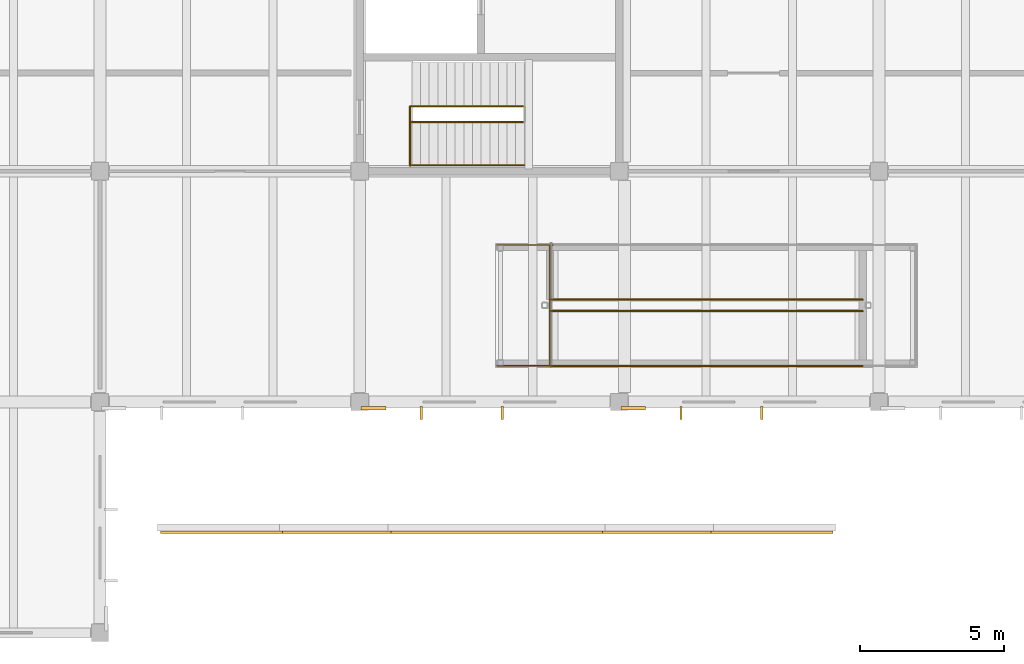
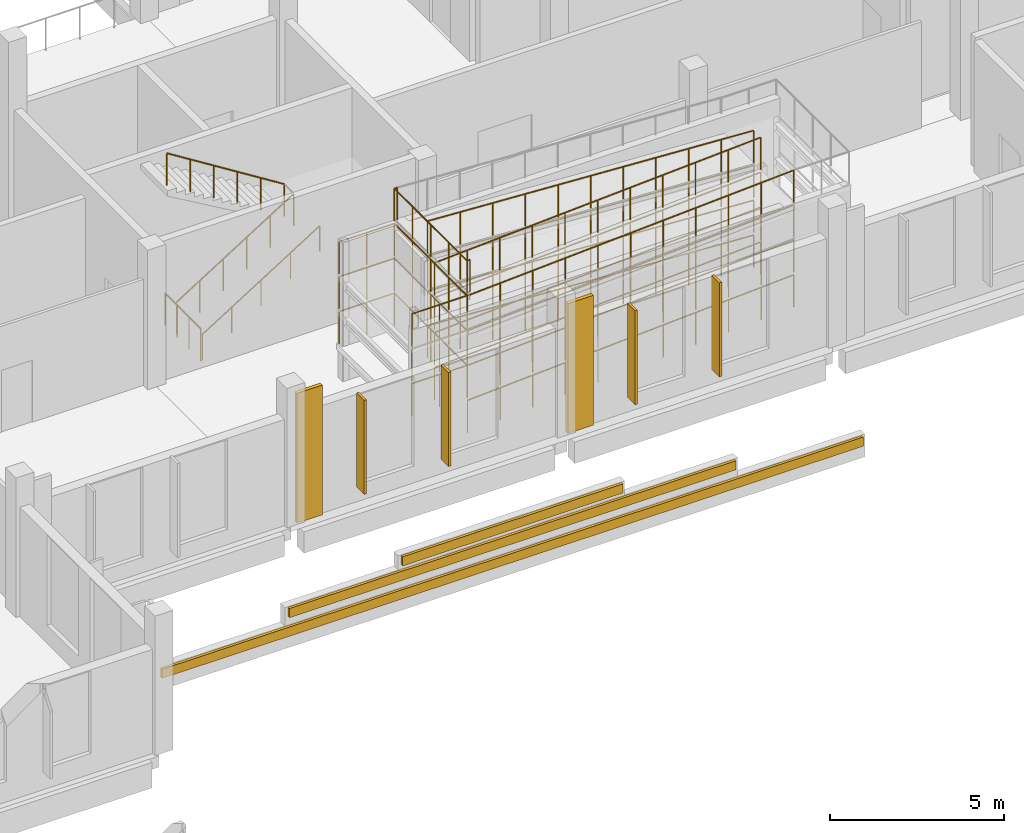
# One storey, part 98 of 110: 20 railings, 5 coverings, 4 shading devices.
"""IFC4 building model written with IfcOpenShell, lengths in metres."""

from ifc_helpers import new_model, si_unit, direction, frame, origin, origin_2d, place, context, subcontext, project, spatial, rectangle, circle, extrude, material, layer, layer_set, type_object, element, save


model = new_model("IFC4")

# Units and contexts
model_context = context("Model", 3, precision=1e-05, world=origin(), true_north=direction((0.0, 1.0)))
body_context = subcontext(model_context, "Body", "Model", "MODEL_VIEW")
ifc_project = project(units=[si_unit("LENGTHUNIT", "METRE"), si_unit("AREAUNIT", "SQUARE_METRE"), si_unit("VOLUMEUNIT", "CUBIC_METRE"), si_unit("PLANEANGLEUNIT", "RADIAN"), si_unit("MASSUNIT", "GRAM", prefix="KILO")], contexts=[model_context])

# Site, building, storey
site_placement = place(None, origin())
site = spatial("IfcSite", under=ifc_project, at=site_placement, CompositionType="ELEMENT")
building_placement = place(site_placement, origin())
building = spatial("IfcBuilding", under=site, at=building_placement, Name="Zacnel Wholesale Market", CompositionType="ELEMENT")
storey_placement = place(building_placement, frame((0.0, 0.0, 6.300048828125)))
storey = spatial("IfcBuildingStorey", under=building, at=storey_placement, Name="L02", CompositionType="ELEMENT", Elevation=6.300048828125)

# Coverings
ifc_material_1 = material(Name="Honed Yucatan Maya cream limestone", Category="masonry")
ifc_layer = layer(ifc_material_1, 0.090087890625)
ifc_layer_set = layer_set([ifc_layer], Name="Honed Yucatan Maya cream limestone")
covering_type = type_object("IfcCoveringType", Name="COV-CLAD-FRET", PredefinedType="CLADDING", material=ifc_layer_set)
for number, where, z_axis, x_axis, name in (
    (1, (108.47998046875, 7.7900390625, 0.02001953125), (0.0, 0.0, 1.0), (1.0, 0.0, 0.0), "Fluted Mayan-Deco limestone pilaster L02-0115"),
    (2, (117.47998046875, 7.7900390625, 0.02001953125), (0.0, 0.0, 1.0), (1.0, 0.0, 0.0), "Fluted Mayan-Deco limestone pilaster L02-0116"),
):
    element("IfcCovering", number, at=place(storey_placement, frame(where, z_axis=z_axis, x_axis=x_axis)), inside=storey, type_object=covering_type, Name=name, PredefinedType="CLADDING", context=body_context, shape_type="SweptSolid", body=[
        extrude(rectangle(XDim=0.85009765625, YDim=0.1201171875, at=origin_2d()), origin(), (0.0, 0.0, 1.0), 4.56005859375),
    ])
covering_1_placement = place(storey_placement, frame((112.75, 3.485107421875, -0.39013671875), z_axis=(0.0, 0.0, 1.0), x_axis=(1.0, 0.0, 0.0)))
element("IfcCovering", 3, at=covering_1_placement, inside=storey, type_object=covering_type, Name="Mayan greca stone relief ENV-CRN-V4FLW-1", PredefinedType="CLADDING", context=body_context, shape_type="SweptSolid", body=[
    extrude(rectangle(XDim=23.300048828125, YDim=0.090087890625, at=origin_2d()), origin(), (0.0, 0.0, 1.0), 0.320068359375),
])
covering_2_placement = place(storey_placement, frame((112.75, 3.485107421875, 0.259765625), z_axis=(0.0, 0.0, 1.0), x_axis=(1.0, 0.0, 0.0)))
element("IfcCovering", 4, at=covering_2_placement, inside=storey, type_object=covering_type, Name="Mayan greca stone relief ENV-CRN-V4FLW-2", PredefinedType="CLADDING", context=body_context, shape_type="SweptSolid", body=[
    extrude(rectangle(XDim=14.840087890625, YDim=0.090087890625, at=origin_2d()), origin(), (0.0, 0.0, 1.0), 0.320068359375),
])
covering_3_placement = place(storey_placement, frame((112.75, 3.485107421875, 0.759765625), z_axis=(0.0, 0.0, 1.0), x_axis=(1.0, 0.0, 0.0)))
element("IfcCovering", 5, at=covering_3_placement, inside=storey, type_object=covering_type, Name="Mayan greca stone relief ENV-CRN-V4FLW-3", PredefinedType="CLADDING", context=body_context, shape_type="SweptSolid", body=[
    extrude(rectangle(XDim=7.320068359375, YDim=0.090087890625, at=origin_2d()), origin(), (0.0, 0.0, 1.0), 0.320068359375),
])

# Railings
ifc_material_2 = material(Name="Galvanized steel", Category="steel")
railing_type_1 = type_object("IfcRailingType", Name="RAL-HANDRAIL-920", PredefinedType="HANDRAIL", material=ifc_material_2)
railing_1_placement = place(storey_placement, frame((109.81005859375, 16.2099609375, 0.0)))
element("IfcRailing", 6, at=railing_1_placement, inside=storey, type_object=railing_type_1, Name="Stair ST-17 wall handrail", PredefinedType="HANDRAIL", context=body_context, shape_type="SweptSolid", body=[
    extrude(circle(Radius=0.02099609375, at=origin_2d()), frame((0.0, 0.0, 0.89892578125), z_axis=(0.846775046443, 0.0, 0.531951145052), x_axis=(0.0, 1.0, 0.0)), (0.0, 0.0, 1.0), 4.605712890625),
    extrude(circle(Radius=0.01806640625, at=origin_2d()), origin(), (0.0, 0.0, 1.0), 0.8779296875),
    extrude(circle(Radius=0.01806640625, at=origin_2d()), frame((0.97509765625, 0.0, 0.612548828125)), (0.0, 0.0, 1.0), 0.8779296875),
    extrude(circle(Radius=0.01806640625, at=origin_2d()), frame((1.949951171875, 0.0, 1.22509765625)), (0.0, 0.0, 1.0), 0.8779296875),
    extrude(circle(Radius=0.01806640625, at=origin_2d()), frame((2.9248046875, 0.0, 1.83740234375)), (0.0, 0.0, 1.0), 0.8779296875),
    extrude(circle(Radius=0.01806640625, at=origin_2d()), frame((3.89990234375, 0.0, 2.449951171875)), (0.0, 0.0, 1.0), 0.8779296875),
])
ifc_material_3 = material(Name="Galvanized steel", Category="steel")
railing_type_2 = type_object("IfcRailingType", Name="RAL-STAIR-GD1150", PredefinedType="BALUSTRADE", material=ifc_material_3)
railing_2_placement = place(storey_placement, frame((109.75, 16.18994140625, 0.0)))
element("IfcRailing", 7, at=railing_2_placement, inside=storey, type_object=railing_type_2, Name="Stair balustrade INT-STAIR-ST-16-GDWELL-1", PredefinedType="BALUSTRADE", context=body_context, shape_type="SweptSolid", body=[
    extrude(circle(Radius=0.02392578125, at=origin_2d()), frame((0.0, 0.0, 1.1259765625), z_axis=(0.0, 1.0, 0.0), x_axis=(-1.0, 0.0, 0.0)), (0.0, 0.0, 1.0), 2.06005859375),
    extrude(circle(Radius=0.02099609375, at=origin_2d()), origin(), (0.0, 0.0, 1.0), 1.101806640625),
    extrude(circle(Radius=0.02099609375, at=origin_2d()), frame((0.0, 0.686767578125, 0.0)), (0.0, 0.0, 1.0), 1.101806640625),
    extrude(circle(Radius=0.02099609375, at=origin_2d()), frame((0.0, 1.373291015625, 0.0)), (0.0, 0.0, 1.0), 1.101806640625),
    extrude(circle(Radius=0.02099609375, at=origin_2d()), frame((0.0, 2.06005859375, 0.0)), (0.0, 0.0, 1.0), 1.101806640625),
])
railing_3_placement = place(storey_placement, frame((109.81005859375, 17.699951171875, 0.0)))
element("IfcRailing", 8, at=railing_3_placement, inside=storey, type_object=railing_type_2, Name="Stair balustrade INT-STAIR-ST-17-GDIN-1", PredefinedType="BALUSTRADE", context=body_context, shape_type="SweptSolid", body=[
    extrude(circle(Radius=0.02392578125, at=origin_2d()), frame((0.0, 0.0, 1.1259765625), z_axis=(0.846775046443, 0.0, 0.531951145052), x_axis=(0.0, 1.0, 0.0)), (0.0, 0.0, 1.0), 4.605712890625),
    extrude(circle(Radius=0.02099609375, at=origin_2d()), origin(), (0.0, 0.0, 1.0), 1.101806640625),
    extrude(circle(Radius=0.02099609375, at=origin_2d()), frame((0.780029296875, 0.0, 0.489990234375)), (0.0, 0.0, 1.0), 1.101806640625),
    extrude(circle(Radius=0.02099609375, at=origin_2d()), frame((1.56005859375, 0.0, 0.97998046875)), (0.0, 0.0, 1.0), 1.101806640625),
    extrude(circle(Radius=0.02099609375, at=origin_2d()), frame((2.33984375, 0.0, 1.469970703125)), (0.0, 0.0, 1.0), 1.101806640625),
    extrude(circle(Radius=0.02099609375, at=origin_2d()), frame((3.119873046875, 0.0, 1.9599609375)), (0.0, 0.0, 1.0), 1.101806640625),
    extrude(circle(Radius=0.02099609375, at=origin_2d()), frame((3.89990234375, 0.0, 2.449951171875)), (0.0, 0.0, 1.0), 1.101806640625),
])
railing_4_placement = place(storey_placement, frame((113.7099609375, 18.25, 2.449951171875)))
element("IfcRailing", 9, at=railing_4_placement, inside=storey, type_object=railing_type_2, Name="Stair balustrade INT-STAIR-ST-17-GDIN-3", PredefinedType="BALUSTRADE", context=body_context, shape_type="SweptSolid", body=[
    extrude(circle(Radius=0.02392578125, at=origin_2d()), frame((0.0, 0.0, 1.1259765625), z_axis=(-0.846775046443, 0.0, 0.531951145052), x_axis=(0.0, -1.0, 0.0)), (0.0, 0.0, 1.0), 4.605712890625),
    extrude(circle(Radius=0.02099609375, at=origin_2d()), origin(), (0.0, 0.0, 1.0), 1.101806640625),
    extrude(circle(Radius=0.02099609375, at=origin_2d()), frame((-0.780029296875, 0.0, 0.489990234375)), (0.0, 0.0, 1.0), 1.101806640625),
    extrude(circle(Radius=0.02099609375, at=origin_2d()), frame((-1.56005859375, 0.0, 0.97998046875)), (0.0, 0.0, 1.0), 1.101806640625),
    extrude(circle(Radius=0.02099609375, at=origin_2d()), frame((-2.33984375, 0.0, 1.469970703125)), (0.0, 0.0, 1.0), 1.101806640625),
    extrude(circle(Radius=0.02099609375, at=origin_2d()), frame((-3.119873046875, 0.0, 1.9599609375)), (0.0, 0.0, 1.0), 1.101806640625),
    extrude(circle(Radius=0.02099609375, at=origin_2d()), frame((-3.89990234375, 0.0, 2.449951171875)), (0.0, 0.0, 1.0), 1.101806640625),
])
for number, where, name in (
    (10, (114.60009765625, 9.25, 0.0), "Accessible ramp RP-04 (RMP-PROM-2) balustrade 1"),
    (11, (114.60009765625, 11.14990234375, 0.0), "Accessible ramp RP-04 (RMP-PROM-2) balustrade 1"),
):
    element("IfcRailing", number, at=place(storey_placement, frame(where)), inside=storey, type_object=railing_type_2, Name=name, PredefinedType="BALUSTRADE", context=body_context, shape_type="SweptSolid", body=[
        extrude(circle(Radius=0.0224609375, at=origin_2d()), frame((0.0, 0.0, 1.12744140625), z_axis=(0.998407465934, 0.0, 0.056413934151), x_axis=(0.0, 1.0, 0.0)), (0.0, 0.0, 1.0), 10.858154296875),
        extrude(circle(Radius=0.02001953125, at=origin_2d()), origin(), (0.0, 0.0, 1.0), 1.10498046875),
        extrude(circle(Radius=0.02001953125, at=origin_2d()), frame((1.083984375, 0.0, 0.061279296875)), (0.0, 0.0, 1.0), 1.10498046875),
        extrude(circle(Radius=0.02001953125, at=origin_2d()), frame((2.168212890625, 0.0, 0.12255859375)), (0.0, 0.0, 1.0), 1.10498046875),
        extrude(circle(Radius=0.02001953125, at=origin_2d()), frame((3.252197265625, 0.0, 0.183837890625)), (0.0, 0.0, 1.0), 1.10498046875),
        extrude(circle(Radius=0.02001953125, at=origin_2d()), frame((4.33642578125, 0.0, 0.2451171875)), (0.0, 0.0, 1.0), 1.10498046875),
        extrude(circle(Radius=0.02001953125, at=origin_2d()), frame((5.42041015625, 0.0, 0.30615234375)), (0.0, 0.0, 1.0), 1.10498046875),
        extrude(circle(Radius=0.02001953125, at=origin_2d()), frame((6.50439453125, 0.0, 0.367431640625)), (0.0, 0.0, 1.0), 1.10498046875),
        extrude(circle(Radius=0.02001953125, at=origin_2d()), frame((7.588623046875, 0.0, 0.4287109375)), (0.0, 0.0, 1.0), 1.10498046875),
        extrude(circle(Radius=0.02001953125, at=origin_2d()), frame((8.672607421875, 0.0, 0.489990234375)), (0.0, 0.0, 1.0), 1.10498046875),
        extrude(circle(Radius=0.02001953125, at=origin_2d()), frame((9.7568359375, 0.0, 0.55126953125)), (0.0, 0.0, 1.0), 1.10498046875),
        extrude(circle(Radius=0.02001953125, at=origin_2d()), frame((10.8408203125, 0.0, 0.612548828125)), (0.0, 0.0, 1.0), 1.10498046875),
    ])
railing_5_placement = place(storey_placement, frame((125.44091796875, 11.550048828125, 0.612548828125)))
element("IfcRailing", 12, at=railing_5_placement, inside=storey, type_object=railing_type_2, Name="Accessible ramp RP-04 (RMP-PROM-2) balustrade 2", PredefinedType="BALUSTRADE", context=body_context, shape_type="SweptSolid", body=[
    extrude(circle(Radius=0.0224609375, at=origin_2d()), frame((0.0, 0.0, 1.12744140625), z_axis=(-0.998408732111, 0.0, 0.056391521037), x_axis=(0.0, -1.0, 0.0)), (0.0, 0.0, 1.0), 10.858154296875),
    extrude(circle(Radius=0.02001953125, at=origin_2d()), origin(), (0.0, 0.0, 1.0), 1.10498046875),
    extrude(circle(Radius=0.02001953125, at=origin_2d()), frame((-1.083984375, 0.0, 0.061279296875)), (0.0, 0.0, 1.0), 1.10498046875),
    extrude(circle(Radius=0.02001953125, at=origin_2d()), frame((-2.168212890625, 0.0, 0.12255859375)), (0.0, 0.0, 1.0), 1.10498046875),
    extrude(circle(Radius=0.02001953125, at=origin_2d()), frame((-3.252197265625, 0.0, 0.18359375)), (0.0, 0.0, 1.0), 1.10498046875),
    extrude(circle(Radius=0.02001953125, at=origin_2d()), frame((-4.33642578125, 0.0, 0.244873046875)), (0.0, 0.0, 1.0), 1.10498046875),
    extrude(circle(Radius=0.02001953125, at=origin_2d()), frame((-5.42041015625, 0.0, 0.30615234375)), (0.0, 0.0, 1.0), 1.10498046875),
    extrude(circle(Radius=0.02001953125, at=origin_2d()), frame((-6.50439453125, 0.0, 0.367431640625)), (0.0, 0.0, 1.0), 1.10498046875),
    extrude(circle(Radius=0.02001953125, at=origin_2d()), frame((-7.588623046875, 0.0, 0.4287109375)), (0.0, 0.0, 1.0), 1.10498046875),
    extrude(circle(Radius=0.02001953125, at=origin_2d()), frame((-8.672607421875, 0.0, 0.48974609375)), (0.0, 0.0, 1.0), 1.10498046875),
    extrude(circle(Radius=0.02001953125, at=origin_2d()), frame((-9.7568359375, 0.0, 0.551025390625)), (0.0, 0.0, 1.0), 1.10498046875),
    extrude(circle(Radius=0.02001953125, at=origin_2d()), frame((-10.8408203125, 0.0, 0.6123046875)), (0.0, 0.0, 1.0), 1.10498046875),
])
railing_6_placement = place(storey_placement, frame((112.760009765625, 9.260009765625, 1.224853515625)))
element("IfcRailing", 13, at=railing_6_placement, inside=storey, type_object=railing_type_2, Name="Accessible ramp RP-04 (RMP-PROM-2) landing balustrade 2", PredefinedType="BALUSTRADE", context=body_context, shape_type="SweptSolid", body=[
    extrude(circle(Radius=0.0224609375, at=origin_2d()), frame((0.0, 0.0, 1.12744140625), z_axis=(1.0, 0.0, 0.0), x_axis=(0.0, 1.0, 0.0)), (0.0, 0.0, 1.0), 1.830078125),
    extrude(circle(Radius=0.0224609375, at=origin_2d()), frame((1.830078125, 0.0, 1.12744140625), z_axis=(0.0, 1.0, 0.0), x_axis=(-1.0, 0.0, 0.0)), (0.0, 0.0, 1.0), 4.179931640625),
    extrude(circle(Radius=0.0224609375, at=origin_2d()), frame((1.830078125, 4.179931640625, 1.12744140625), z_axis=(-1.0, 0.0, 0.0), x_axis=(0.0, -1.0, 0.0)), (0.0, 0.0, 1.0), 1.830078125),
    extrude(circle(Radius=0.02001953125, at=origin_2d()), origin(), (0.0, 0.0, 1.0), 1.10498046875),
    extrude(circle(Radius=0.02001953125, at=origin_2d()), frame((0.9150390625, 0.0, 0.0)), (0.0, 0.0, 1.0), 1.10498046875),
    extrude(circle(Radius=0.02001953125, at=origin_2d()), frame((1.830078125, 0.0, 0.0)), (0.0, 0.0, 1.0), 1.10498046875),
    extrude(circle(Radius=0.02001953125, at=origin_2d()), frame((1.830078125, 1.044921875, 0.0)), (0.0, 0.0, 1.0), 1.10498046875),
    extrude(circle(Radius=0.02001953125, at=origin_2d()), frame((1.830078125, 2.08984375, 0.0)), (0.0, 0.0, 1.0), 1.10498046875),
    extrude(circle(Radius=0.02001953125, at=origin_2d()), frame((1.830078125, 3.135009765625, 0.0)), (0.0, 0.0, 1.0), 1.10498046875),
    extrude(circle(Radius=0.02001953125, at=origin_2d()), frame((1.830078125, 4.179931640625, 0.0)), (0.0, 0.0, 1.0), 1.10498046875),
    extrude(circle(Radius=0.02001953125, at=origin_2d()), frame((0.9150390625, 4.179931640625, 0.0)), (0.0, 0.0, 1.0), 1.10498046875),
    extrude(circle(Radius=0.02001953125, at=origin_2d()), frame((0.0, 4.179931640625, 0.0)), (0.0, 0.0, 1.0), 1.10498046875),
])
for number, where, name in (
    (14, (114.60009765625, 9.25, 1.224853515625), "Accessible ramp RP-04 (RMP-PROM-2) balustrade 3"),
    (15, (114.60009765625, 11.14990234375, 1.224853515625), "Accessible ramp RP-04 (RMP-PROM-2) balustrade 3"),
):
    element("IfcRailing", number, at=place(storey_placement, frame(where)), inside=storey, type_object=railing_type_2, Name=name, PredefinedType="BALUSTRADE", context=body_context, shape_type="SweptSolid", body=[
        extrude(circle(Radius=0.0224609375, at=origin_2d()), frame((0.0, 0.0, 1.12744140625), z_axis=(0.998407465934, 0.0, 0.056413934151), x_axis=(0.0, 1.0, 0.0)), (0.0, 0.0, 1.0), 10.858154296875),
        extrude(circle(Radius=0.02001953125, at=origin_2d()), origin(), (0.0, 0.0, 1.0), 1.10498046875),
        extrude(circle(Radius=0.02001953125, at=origin_2d()), frame((1.083984375, 0.0, 0.061279296875)), (0.0, 0.0, 1.0), 1.10498046875),
        extrude(circle(Radius=0.02001953125, at=origin_2d()), frame((2.168212890625, 0.0, 0.12255859375)), (0.0, 0.0, 1.0), 1.10498046875),
        extrude(circle(Radius=0.02001953125, at=origin_2d()), frame((3.252197265625, 0.0, 0.183837890625)), (0.0, 0.0, 1.0), 1.10498046875),
        extrude(circle(Radius=0.02001953125, at=origin_2d()), frame((4.33642578125, 0.0, 0.2451171875)), (0.0, 0.0, 1.0), 1.10498046875),
        extrude(circle(Radius=0.02001953125, at=origin_2d()), frame((5.42041015625, 0.0, 0.30615234375)), (0.0, 0.0, 1.0), 1.10498046875),
        extrude(circle(Radius=0.02001953125, at=origin_2d()), frame((6.50439453125, 0.0, 0.367431640625)), (0.0, 0.0, 1.0), 1.10498046875),
        extrude(circle(Radius=0.02001953125, at=origin_2d()), frame((7.588623046875, 0.0, 0.4287109375)), (0.0, 0.0, 1.0), 1.10498046875),
        extrude(circle(Radius=0.02001953125, at=origin_2d()), frame((8.672607421875, 0.0, 0.489990234375)), (0.0, 0.0, 1.0), 1.10498046875),
        extrude(circle(Radius=0.02001953125, at=origin_2d()), frame((9.7568359375, 0.0, 0.55126953125)), (0.0, 0.0, 1.0), 1.10498046875),
        extrude(circle(Radius=0.02001953125, at=origin_2d()), frame((10.8408203125, 0.0, 0.612548828125)), (0.0, 0.0, 1.0), 1.10498046875),
    ])
railing_7_placement = place(storey_placement, frame((125.44091796875, 11.550048828125, 1.83740234375)))
element("IfcRailing", 16, at=railing_7_placement, inside=storey, type_object=railing_type_2, Name="Accessible ramp RP-04 (RMP-PROM-2) balustrade 4", PredefinedType="BALUSTRADE", context=body_context, shape_type="SweptSolid", body=[
    extrude(circle(Radius=0.0224609375, at=origin_2d()), frame((0.0, 0.0, 1.12744140625), z_axis=(-0.998407465934, 0.0, 0.056413934151), x_axis=(0.0, -1.0, 0.0)), (0.0, 0.0, 1.0), 10.858154296875),
    extrude(circle(Radius=0.02001953125, at=origin_2d()), origin(), (0.0, 0.0, 1.0), 1.10498046875),
    extrude(circle(Radius=0.02001953125, at=origin_2d()), frame((-1.083984375, 0.0, 0.061279296875)), (0.0, 0.0, 1.0), 1.10498046875),
    extrude(circle(Radius=0.02001953125, at=origin_2d()), frame((-2.168212890625, 0.0, 0.12255859375)), (0.0, 0.0, 1.0), 1.10498046875),
    extrude(circle(Radius=0.02001953125, at=origin_2d()), frame((-3.252197265625, 0.0, 0.183837890625)), (0.0, 0.0, 1.0), 1.10498046875),
    extrude(circle(Radius=0.02001953125, at=origin_2d()), frame((-4.33642578125, 0.0, 0.2451171875)), (0.0, 0.0, 1.0), 1.10498046875),
    extrude(circle(Radius=0.02001953125, at=origin_2d()), frame((-5.42041015625, 0.0, 0.30615234375)), (0.0, 0.0, 1.0), 1.10498046875),
    extrude(circle(Radius=0.02001953125, at=origin_2d()), frame((-6.50439453125, 0.0, 0.367431640625)), (0.0, 0.0, 1.0), 1.10498046875),
    extrude(circle(Radius=0.02001953125, at=origin_2d()), frame((-7.588623046875, 0.0, 0.4287109375)), (0.0, 0.0, 1.0), 1.10498046875),
    extrude(circle(Radius=0.02001953125, at=origin_2d()), frame((-8.672607421875, 0.0, 0.489990234375)), (0.0, 0.0, 1.0), 1.10498046875),
    extrude(circle(Radius=0.02001953125, at=origin_2d()), frame((-9.7568359375, 0.0, 0.55126953125)), (0.0, 0.0, 1.0), 1.10498046875),
    extrude(circle(Radius=0.02001953125, at=origin_2d()), frame((-10.8408203125, 0.0, 0.612548828125)), (0.0, 0.0, 1.0), 1.10498046875),
])
railing_8_placement = place(storey_placement, frame((112.760009765625, 9.260009765625, 2.449951171875)))
element("IfcRailing", 17, at=railing_8_placement, inside=storey, type_object=railing_type_2, Name="Accessible ramp RP-04 (RMP-PROM-2) landing balustrade 4", PredefinedType="BALUSTRADE", context=body_context, shape_type="SweptSolid", body=[
    extrude(circle(Radius=0.0224609375, at=origin_2d()), frame((0.0, 0.0, 1.12744140625), z_axis=(1.0, 0.0, 0.0), x_axis=(0.0, 1.0, 0.0)), (0.0, 0.0, 1.0), 1.830078125),
    extrude(circle(Radius=0.0224609375, at=origin_2d()), frame((1.830078125, 0.0, 1.12744140625), z_axis=(0.0, 1.0, 0.0), x_axis=(-1.0, 0.0, 0.0)), (0.0, 0.0, 1.0), 4.179931640625),
    extrude(circle(Radius=0.0224609375, at=origin_2d()), frame((1.830078125, 4.179931640625, 1.12744140625), z_axis=(-1.0, 0.0, 0.0), x_axis=(0.0, -1.0, 0.0)), (0.0, 0.0, 1.0), 1.830078125),
    extrude(circle(Radius=0.02001953125, at=origin_2d()), origin(), (0.0, 0.0, 1.0), 1.10498046875),
    extrude(circle(Radius=0.02001953125, at=origin_2d()), frame((0.9150390625, 0.0, 0.0)), (0.0, 0.0, 1.0), 1.10498046875),
    extrude(circle(Radius=0.02001953125, at=origin_2d()), frame((1.830078125, 0.0, 0.0)), (0.0, 0.0, 1.0), 1.10498046875),
    extrude(circle(Radius=0.02001953125, at=origin_2d()), frame((1.830078125, 1.044921875, 0.0)), (0.0, 0.0, 1.0), 1.10498046875),
    extrude(circle(Radius=0.02001953125, at=origin_2d()), frame((1.830078125, 2.08984375, 0.0)), (0.0, 0.0, 1.0), 1.10498046875),
    extrude(circle(Radius=0.02001953125, at=origin_2d()), frame((1.830078125, 3.135009765625, 0.0)), (0.0, 0.0, 1.0), 1.10498046875),
    extrude(circle(Radius=0.02001953125, at=origin_2d()), frame((1.830078125, 4.179931640625, 0.0)), (0.0, 0.0, 1.0), 1.10498046875),
    extrude(circle(Radius=0.02001953125, at=origin_2d()), frame((0.9150390625, 4.179931640625, 0.0)), (0.0, 0.0, 1.0), 1.10498046875),
    extrude(circle(Radius=0.02001953125, at=origin_2d()), frame((0.0, 4.179931640625, 0.0)), (0.0, 0.0, 1.0), 1.10498046875),
])
for number, where, name in (
    (18, (114.60009765625, 9.25, 2.449951171875), "Accessible ramp RP-04 (RMP-PROM-2) balustrade 5"),
    (19, (114.60009765625, 11.14990234375, 2.449951171875), "Accessible ramp RP-04 (RMP-PROM-2) balustrade 5"),
):
    element("IfcRailing", number, at=place(storey_placement, frame(where)), inside=storey, type_object=railing_type_2, Name=name, PredefinedType="BALUSTRADE", context=body_context, shape_type="SweptSolid", body=[
        extrude(circle(Radius=0.0224609375, at=origin_2d()), frame((0.0, 0.0, 1.12744140625), z_axis=(0.998407465934, 0.0, 0.056413934151), x_axis=(0.0, 1.0, 0.0)), (0.0, 0.0, 1.0), 10.858154296875),
        extrude(circle(Radius=0.02001953125, at=origin_2d()), origin(), (0.0, 0.0, 1.0), 1.10498046875),
        extrude(circle(Radius=0.02001953125, at=origin_2d()), frame((1.083984375, 0.0, 0.061279296875)), (0.0, 0.0, 1.0), 1.10498046875),
        extrude(circle(Radius=0.02001953125, at=origin_2d()), frame((2.168212890625, 0.0, 0.12255859375)), (0.0, 0.0, 1.0), 1.10498046875),
        extrude(circle(Radius=0.02001953125, at=origin_2d()), frame((3.252197265625, 0.0, 0.183837890625)), (0.0, 0.0, 1.0), 1.10498046875),
        extrude(circle(Radius=0.02001953125, at=origin_2d()), frame((4.33642578125, 0.0, 0.2451171875)), (0.0, 0.0, 1.0), 1.10498046875),
        extrude(circle(Radius=0.02001953125, at=origin_2d()), frame((5.42041015625, 0.0, 0.30615234375)), (0.0, 0.0, 1.0), 1.10498046875),
        extrude(circle(Radius=0.02001953125, at=origin_2d()), frame((6.50439453125, 0.0, 0.367431640625)), (0.0, 0.0, 1.0), 1.10498046875),
        extrude(circle(Radius=0.02001953125, at=origin_2d()), frame((7.588623046875, 0.0, 0.4287109375)), (0.0, 0.0, 1.0), 1.10498046875),
        extrude(circle(Radius=0.02001953125, at=origin_2d()), frame((8.672607421875, 0.0, 0.489990234375)), (0.0, 0.0, 1.0), 1.10498046875),
        extrude(circle(Radius=0.02001953125, at=origin_2d()), frame((9.7568359375, 0.0, 0.55126953125)), (0.0, 0.0, 1.0), 1.10498046875),
        extrude(circle(Radius=0.02001953125, at=origin_2d()), frame((10.8408203125, 0.0, 0.612548828125)), (0.0, 0.0, 1.0), 1.10498046875),
    ])
railing_9_placement = place(storey_placement, frame((125.44091796875, 11.550048828125, 3.0625)))
element("IfcRailing", 20, at=railing_9_placement, inside=storey, type_object=railing_type_2, Name="Accessible ramp RP-04 (RMP-PROM-2) balustrade 6", PredefinedType="BALUSTRADE", context=body_context, shape_type="SweptSolid", body=[
    extrude(circle(Radius=0.0224609375, at=origin_2d()), frame((0.0, 0.0, 1.12744140625), z_axis=(-0.998407465934, 0.0, 0.056413934151), x_axis=(0.0, -1.0, 0.0)), (0.0, 0.0, 1.0), 10.858154296875),
    extrude(circle(Radius=0.02001953125, at=origin_2d()), origin(), (0.0, 0.0, 1.0), 1.10498046875),
    extrude(circle(Radius=0.02001953125, at=origin_2d()), frame((-1.083984375, 0.0, 0.061279296875)), (0.0, 0.0, 1.0), 1.10498046875),
    extrude(circle(Radius=0.02001953125, at=origin_2d()), frame((-2.168212890625, 0.0, 0.12255859375)), (0.0, 0.0, 1.0), 1.10498046875),
    extrude(circle(Radius=0.02001953125, at=origin_2d()), frame((-3.252197265625, 0.0, 0.183837890625)), (0.0, 0.0, 1.0), 1.10498046875),
    extrude(circle(Radius=0.02001953125, at=origin_2d()), frame((-4.33642578125, 0.0, 0.2451171875)), (0.0, 0.0, 1.0), 1.10498046875),
    extrude(circle(Radius=0.02001953125, at=origin_2d()), frame((-5.42041015625, 0.0, 0.30615234375)), (0.0, 0.0, 1.0), 1.10498046875),
    extrude(circle(Radius=0.02001953125, at=origin_2d()), frame((-6.50439453125, 0.0, 0.367431640625)), (0.0, 0.0, 1.0), 1.10498046875),
    extrude(circle(Radius=0.02001953125, at=origin_2d()), frame((-7.588623046875, 0.0, 0.4287109375)), (0.0, 0.0, 1.0), 1.10498046875),
    extrude(circle(Radius=0.02001953125, at=origin_2d()), frame((-8.672607421875, 0.0, 0.489990234375)), (0.0, 0.0, 1.0), 1.10498046875),
    extrude(circle(Radius=0.02001953125, at=origin_2d()), frame((-9.7568359375, 0.0, 0.55126953125)), (0.0, 0.0, 1.0), 1.10498046875),
    extrude(circle(Radius=0.02001953125, at=origin_2d()), frame((-10.8408203125, 0.0, 0.612548828125)), (0.0, 0.0, 1.0), 1.10498046875),
])
railing_10_placement = place(storey_placement, frame((112.760009765625, 9.260009765625, 3.675048828125)))
element("IfcRailing", 21, at=railing_10_placement, inside=storey, type_object=railing_type_2, Name="Accessible ramp RP-04 (RMP-PROM-2) landing balustrade 6", PredefinedType="BALUSTRADE", context=body_context, shape_type="SweptSolid", body=[
    extrude(circle(Radius=0.0224609375, at=origin_2d()), frame((0.0, 0.0, 1.12744140625), z_axis=(1.0, 0.0, 0.0), x_axis=(0.0, 1.0, 0.0)), (0.0, 0.0, 1.0), 1.830078125),
    extrude(circle(Radius=0.0224609375, at=origin_2d()), frame((1.830078125, 0.0, 1.12744140625), z_axis=(0.0, 1.0, 0.0), x_axis=(-1.0, 0.0, 0.0)), (0.0, 0.0, 1.0), 4.179931640625),
    extrude(circle(Radius=0.0224609375, at=origin_2d()), frame((1.830078125, 4.179931640625, 1.12744140625), z_axis=(-1.0, 0.0, 0.0), x_axis=(0.0, -1.0, 0.0)), (0.0, 0.0, 1.0), 1.830078125),
    extrude(circle(Radius=0.02001953125, at=origin_2d()), origin(), (0.0, 0.0, 1.0), 1.10498046875),
    extrude(circle(Radius=0.02001953125, at=origin_2d()), frame((0.9150390625, 0.0, 0.0)), (0.0, 0.0, 1.0), 1.10498046875),
    extrude(circle(Radius=0.02001953125, at=origin_2d()), frame((1.830078125, 0.0, 0.0)), (0.0, 0.0, 1.0), 1.10498046875),
    extrude(circle(Radius=0.02001953125, at=origin_2d()), frame((1.830078125, 1.044921875, 0.0)), (0.0, 0.0, 1.0), 1.10498046875),
    extrude(circle(Radius=0.02001953125, at=origin_2d()), frame((1.830078125, 2.08984375, 0.0)), (0.0, 0.0, 1.0), 1.10498046875),
    extrude(circle(Radius=0.02001953125, at=origin_2d()), frame((1.830078125, 3.135009765625, 0.0)), (0.0, 0.0, 1.0), 1.10498046875),
    extrude(circle(Radius=0.02001953125, at=origin_2d()), frame((1.830078125, 4.179931640625, 0.0)), (0.0, 0.0, 1.0), 1.10498046875),
    extrude(circle(Radius=0.02001953125, at=origin_2d()), frame((0.9150390625, 4.179931640625, 0.0)), (0.0, 0.0, 1.0), 1.10498046875),
    extrude(circle(Radius=0.02001953125, at=origin_2d()), frame((0.0, 4.179931640625, 0.0)), (0.0, 0.0, 1.0), 1.10498046875),
])
for number, where, name in (
    (22, (114.60009765625, 9.25, 3.675048828125), "Accessible ramp RP-04 (RMP-PROM-2) balustrade 7"),
    (23, (114.60009765625, 11.14990234375, 3.675048828125), "Accessible ramp RP-04 (RMP-PROM-2) balustrade 7"),
):
    element("IfcRailing", number, at=place(storey_placement, frame(where)), inside=storey, type_object=railing_type_2, Name=name, PredefinedType="BALUSTRADE", context=body_context, shape_type="SweptSolid", body=[
        extrude(circle(Radius=0.0224609375, at=origin_2d()), frame((0.0, 0.0, 1.12744140625), z_axis=(0.998408732111, 0.0, 0.056391521037), x_axis=(0.0, 1.0, 0.0)), (0.0, 0.0, 1.0), 10.858154296875),
        extrude(circle(Radius=0.02001953125, at=origin_2d()), origin(), (0.0, 0.0, 1.0), 1.10498046875),
        extrude(circle(Radius=0.02001953125, at=origin_2d()), frame((1.083984375, 0.0, 0.061279296875)), (0.0, 0.0, 1.0), 1.10498046875),
        extrude(circle(Radius=0.02001953125, at=origin_2d()), frame((2.168212890625, 0.0, 0.12255859375)), (0.0, 0.0, 1.0), 1.10498046875),
        extrude(circle(Radius=0.02001953125, at=origin_2d()), frame((3.252197265625, 0.0, 0.18359375)), (0.0, 0.0, 1.0), 1.10498046875),
        extrude(circle(Radius=0.02001953125, at=origin_2d()), frame((4.33642578125, 0.0, 0.244873046875)), (0.0, 0.0, 1.0), 1.10498046875),
        extrude(circle(Radius=0.02001953125, at=origin_2d()), frame((5.42041015625, 0.0, 0.30615234375)), (0.0, 0.0, 1.0), 1.10498046875),
        extrude(circle(Radius=0.02001953125, at=origin_2d()), frame((6.50439453125, 0.0, 0.367431640625)), (0.0, 0.0, 1.0), 1.10498046875),
        extrude(circle(Radius=0.02001953125, at=origin_2d()), frame((7.588623046875, 0.0, 0.4287109375)), (0.0, 0.0, 1.0), 1.10498046875),
        extrude(circle(Radius=0.02001953125, at=origin_2d()), frame((8.672607421875, 0.0, 0.48974609375)), (0.0, 0.0, 1.0), 1.10498046875),
        extrude(circle(Radius=0.02001953125, at=origin_2d()), frame((9.7568359375, 0.0, 0.551025390625)), (0.0, 0.0, 1.0), 1.10498046875),
        extrude(circle(Radius=0.02001953125, at=origin_2d()), frame((10.8408203125, 0.0, 0.6123046875)), (0.0, 0.0, 1.0), 1.10498046875),
    ])
railing_11_placement = place(storey_placement, frame((125.44091796875, 11.550048828125, 4.287353515625)))
element("IfcRailing", 24, at=railing_11_placement, inside=storey, type_object=railing_type_2, Name="Accessible ramp RP-04 (RMP-PROM-2) balustrade 8", PredefinedType="BALUSTRADE", context=body_context, shape_type="SweptSolid", body=[
    extrude(circle(Radius=0.0224609375, at=origin_2d()), frame((0.0, 0.0, 1.12744140625), z_axis=(-0.998407465934, 0.0, 0.056413934151), x_axis=(0.0, -1.0, 0.0)), (0.0, 0.0, 1.0), 10.858154296875),
    extrude(circle(Radius=0.02001953125, at=origin_2d()), origin(), (0.0, 0.0, 1.0), 1.10498046875),
    extrude(circle(Radius=0.02001953125, at=origin_2d()), frame((-1.083984375, 0.0, 0.061279296875)), (0.0, 0.0, 1.0), 1.10498046875),
    extrude(circle(Radius=0.02001953125, at=origin_2d()), frame((-2.168212890625, 0.0, 0.12255859375)), (0.0, 0.0, 1.0), 1.10498046875),
    extrude(circle(Radius=0.02001953125, at=origin_2d()), frame((-3.252197265625, 0.0, 0.183837890625)), (0.0, 0.0, 1.0), 1.10498046875),
    extrude(circle(Radius=0.02001953125, at=origin_2d()), frame((-4.33642578125, 0.0, 0.2451171875)), (0.0, 0.0, 1.0), 1.10498046875),
    extrude(circle(Radius=0.02001953125, at=origin_2d()), frame((-5.42041015625, 0.0, 0.30615234375)), (0.0, 0.0, 1.0), 1.10498046875),
    extrude(circle(Radius=0.02001953125, at=origin_2d()), frame((-6.50439453125, 0.0, 0.367431640625)), (0.0, 0.0, 1.0), 1.10498046875),
    extrude(circle(Radius=0.02001953125, at=origin_2d()), frame((-7.588623046875, 0.0, 0.4287109375)), (0.0, 0.0, 1.0), 1.10498046875),
    extrude(circle(Radius=0.02001953125, at=origin_2d()), frame((-8.672607421875, 0.0, 0.489990234375)), (0.0, 0.0, 1.0), 1.10498046875),
    extrude(circle(Radius=0.02001953125, at=origin_2d()), frame((-9.7568359375, 0.0, 0.55126953125)), (0.0, 0.0, 1.0), 1.10498046875),
    extrude(circle(Radius=0.02001953125, at=origin_2d()), frame((-10.8408203125, 0.0, 0.612548828125)), (0.0, 0.0, 1.0), 1.10498046875),
])
railing_12_placement = place(storey_placement, frame((114.68994140625, 9.260009765625, 4.89990234375)))
element("IfcRailing", 25, at=railing_12_placement, inside=storey, type_object=railing_type_2, Name="Accessible ramp RP-04 (RMP-PROM-2) landing balustrade 8", PredefinedType="BALUSTRADE", context=body_context, shape_type="SweptSolid", body=[
    extrude(circle(Radius=0.0224609375, at=origin_2d()), frame((0.0, 0.0, 1.12744140625), z_axis=(-1.0, 0.0, 0.0), x_axis=(0.0, -1.0, 0.0)), (0.0, 0.0, 1.0), 0.099853515625),
    extrude(circle(Radius=0.0224609375, at=origin_2d()), frame((-0.099853515625, 0.0, 1.12744140625), z_axis=(0.0, 1.0, 0.0), x_axis=(-1.0, 0.0, 0.0)), (0.0, 0.0, 1.0), 4.179931640625),
    extrude(circle(Radius=0.0224609375, at=origin_2d()), frame((-0.099853515625, 4.179931640625, 1.12744140625), z_axis=(1.0, 0.0, 0.0), x_axis=(0.0, 1.0, 0.0)), (0.0, 0.0, 1.0), 0.099853515625),
    extrude(circle(Radius=0.02001953125, at=origin_2d()), origin(), (0.0, 0.0, 1.0), 1.10498046875),
    extrude(circle(Radius=0.02001953125, at=origin_2d()), frame((-0.099853515625, 0.0, 0.0)), (0.0, 0.0, 1.0), 1.10498046875),
    extrude(circle(Radius=0.02001953125, at=origin_2d()), frame((-0.099853515625, 1.044921875, 0.0)), (0.0, 0.0, 1.0), 1.10498046875),
    extrude(circle(Radius=0.02001953125, at=origin_2d()), frame((-0.099853515625, 2.08984375, 0.0)), (0.0, 0.0, 1.0), 1.10498046875),
    extrude(circle(Radius=0.02001953125, at=origin_2d()), frame((-0.099853515625, 3.135009765625, 0.0)), (0.0, 0.0, 1.0), 1.10498046875),
    extrude(circle(Radius=0.02001953125, at=origin_2d()), frame((-0.099853515625, 4.179931640625, 0.0)), (0.0, 0.0, 1.0), 1.10498046875),
    extrude(circle(Radius=0.02001953125, at=origin_2d()), frame((0.0, 4.179931640625, 0.0)), (0.0, 0.0, 1.0), 1.10498046875),
])

# Shading devices
ifc_material_4 = material(Name="Honed Yucatan Maya cream limestone", Category="masonry")
shading_device_type = type_object("IfcShadingDeviceType", Name="SHD-FIN-V450", PredefinedType="USERDEFINED", material=ifc_material_4)
for number, where, z_axis, x_axis, name in (
    (26, (110.139892578125, 7.6201171875, 0.51513671875), (0.0, 0.0, 1.0), (1.0, 0.0, 0.0), "Limestone sunshade fin 0137"),
    (27, (112.93994140625, 7.6201171875, 0.51513671875), (0.0, 0.0, 1.0), (1.0, 0.0, 0.0), "Limestone sunshade fin 0138"),
    (28, (119.139892578125, 7.6201171875, 0.51513671875), (0.0, 0.0, 1.0), (1.0, 0.0, 0.0), "Limestone sunshade fin 0139"),
    (29, (121.93994140625, 7.6201171875, 0.51513671875), (0.0, 0.0, 1.0), (1.0, 0.0, 0.0), "Limestone sunshade fin 0140"),
):
    element("IfcShadingDevice", number, at=place(storey_placement, frame(where, z_axis=z_axis, x_axis=x_axis)), inside=storey, type_object=shading_device_type, Name=name, ObjectType="SUNSHADE", PredefinedType="USERDEFINED", context=body_context, shape_type="SweptSolid", body=[
        extrude(rectangle(XDim=0.080078125, YDim=0.43994140625, at=origin_2d()), origin(), (0.0, 0.0, 1.0), 3.300048828125),
    ])

save(model, "model.ifc")
